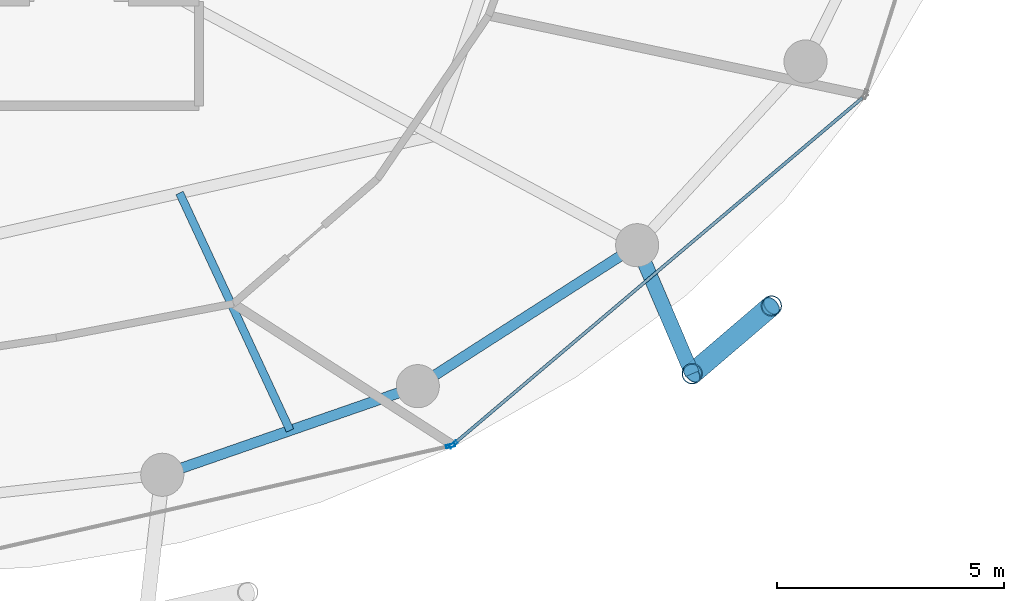
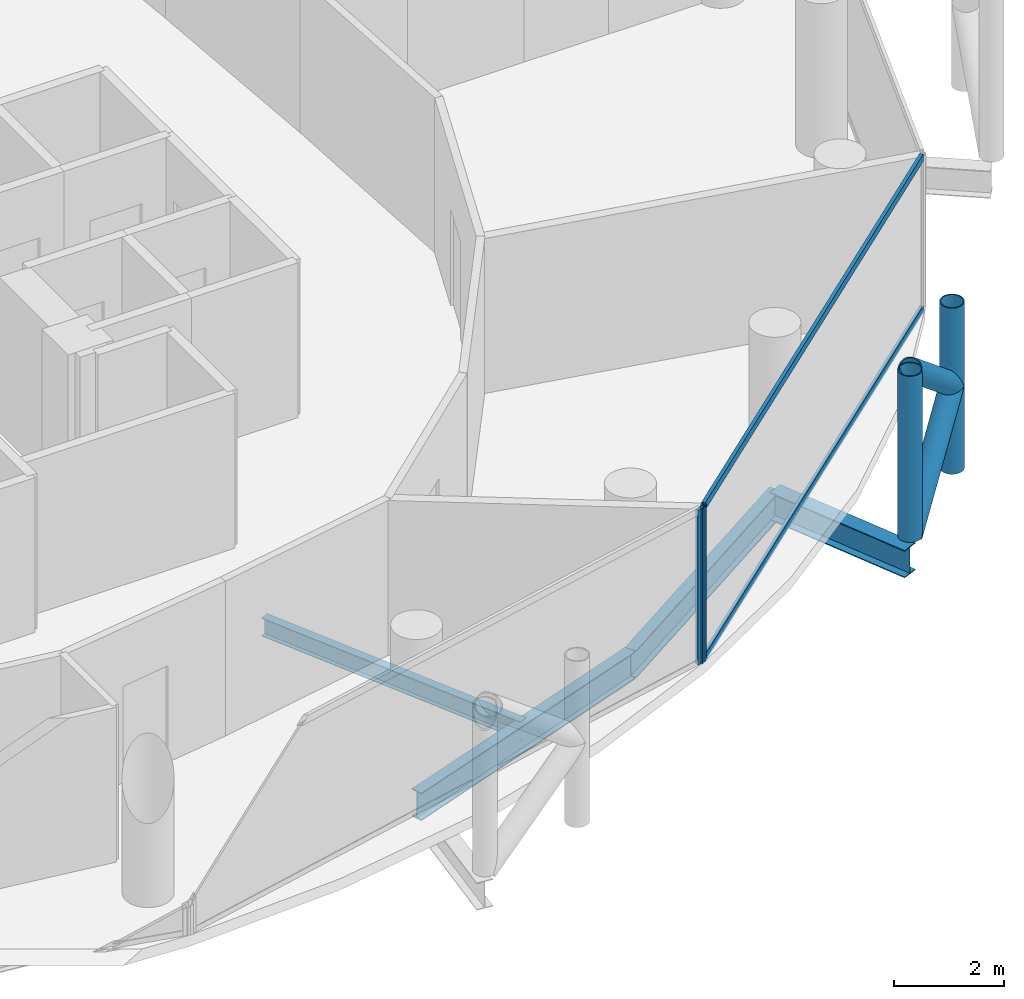
# One storey, part 8 of 26: 8 members, 4 beams, 2 elements without a shape of their own.
"""IFC4 building model written with IfcOpenShell, lengths in metres."""

from ifc_helpers import new_model, si_unit, direction, frame, origin, origin_2d, place, context, subcontext, project, spatial, hollow_rectangle, hollow_circle, i_section, extrude, material, layer, layer_set, material_profile, profile_set, type_object, element, aggregate, save


model = new_model("IFC4")

# Units and contexts
model_context = context("Model", 3, precision=1e-05, world=origin(), true_north=direction((0.0, 1.0)))
body_context = subcontext(model_context, "Body", "Model", "MODEL_VIEW")
ifc_project = project(units=[si_unit("LENGTHUNIT", "METRE"), si_unit("AREAUNIT", "SQUARE_METRE"), si_unit("VOLUMEUNIT", "CUBIC_METRE"), si_unit("PLANEANGLEUNIT", "RADIAN"), si_unit("MASSUNIT", "GRAM", prefix="KILO")], contexts=[model_context])

# Site, building, storey
site_placement = place(None, origin())
site = spatial("IfcSite", under=ifc_project, at=site_placement, CompositionType="ELEMENT")
building_placement = place(site_placement, origin())
building = spatial("IfcBuilding", under=site, at=building_placement, Name="Nuhasar Tower", CompositionType="ELEMENT")
storey_placement = place(building_placement, frame((0.0, 0.0, 173.75)))
storey = spatial("IfcBuildingStorey", under=building, at=storey_placement, Name="L42", CompositionType="ELEMENT", Elevation=173.75)

# Beams
ifc_material_1 = material(Name="Steel S355", Category="steel")
ifc_material_profile_1 = material_profile(ifc_material_1, i_section(OverallWidth=0.177978515625, OverallDepth=0.406005859375, WebThickness=0.0078125, FlangeThickness=0.0126953125, at=origin_2d()), Name="W16X40")
ifc_profile_set_1 = profile_set([ifc_material_profile_1], Name="Steel S355")
beam_type_1 = type_object("IfcBeamType", Name="BM-JST-W16X40", PredefinedType="JOIST", material=ifc_profile_set_1)
beam_1_placement = place(storey_placement, frame((45.424072265625, 14.1279296875, -0.452880859375), z_axis=(0.421729941201, -0.906721487941, 0.0), x_axis=(0.906721487941, 0.421729941201, 0.0)))
element("IfcBeam", 1, at=beam_1_placement, inside=storey, type_object=beam_type_1, Name="L42 Secondary Floor Joist 02", PredefinedType="JOIST", context=body_context, shape_type="SweptSolid", body=[
    extrude(i_section(OverallWidth=0.177978515625, OverallDepth=0.406005859375, WebThickness=0.0078125, FlangeThickness=0.0126953125, at=origin_2d()), origin(), (0.0, 0.0, 1.0), 5.7734375),
])
ifc_material_profile_2 = material_profile(ifc_material_1, i_section(OverallWidth=0.22998046875, OverallDepth=0.616943359375, WebThickness=0.01318359375, FlangeThickness=0.022216796875, at=origin_2d()), Name="W24X94")
ifc_profile_set_2 = profile_set([ifc_material_profile_2], Name="Steel S355")
beam_type_2 = type_object("IfcBeamType", Name="BM-RING-W24X94", PredefinedType="SPANDREL", material=ifc_profile_set_2)
beam_2_placement = place(storey_placement, frame((45.04296875, 7.916015625, -0.55908203125), z_axis=(0.944814057608, 0.327607076458, 0.0), x_axis=(-0.327607076458, 0.944814057608, 0.0)))
element("IfcBeam", 2, at=beam_2_placement, inside=storey, type_object=beam_type_2, Name="L42 Perimeter Ring Spandrel 20", PredefinedType="SPANDREL", context=body_context, shape_type="SweptSolid", body=[
    extrude(i_section(OverallWidth=0.22998046875, OverallDepth=0.616943359375, WebThickness=0.01318359375, FlangeThickness=0.022216796875, at=origin_2d()), origin(), (0.0, 0.0, 1.0), 5.9609375),
])
beam_3_placement = place(storey_placement, frame((50.675048828125, 9.868896484375, -0.55908203125), z_axis=(0.841308170616, 0.540555789955, 0.0), x_axis=(-0.540555789955, 0.841308170616, 0.0)))
element("IfcBeam", 3, at=beam_3_placement, inside=storey, type_object=beam_type_2, Name="L42 Perimeter Ring Spandrel 21", PredefinedType="SPANDREL", context=body_context, shape_type="SweptSolid", body=[
    extrude(i_section(OverallWidth=0.22998046875, OverallDepth=0.616943359375, WebThickness=0.01318359375, FlangeThickness=0.022216796875, at=origin_2d()), origin(), (0.0, 0.0, 1.0), 5.748046875),
])
ifc_material_profile_3 = material_profile(ifc_material_1, i_section(OverallWidth=0.323974609375, OverallDepth=0.611083984375, WebThickness=0.0126953125, FlangeThickness=0.01904296875, at=origin_2d()), Name="W24X104")
ifc_profile_set_3 = profile_set([ifc_material_profile_3], Name="Steel S355")
beam_type_3 = type_object("IfcBeamType", Name="BM-TIE-W24X104", PredefinedType="BEAM", material=ifc_profile_set_3)
beam_4_placement = place(storey_placement, frame((55.510986328125, 12.97607421875, -0.554931640625), z_axis=(0.39330721304, -0.919407111225, 0.0), x_axis=(0.919407111225, 0.39330721304, 0.0)))
element("IfcBeam", 4, at=beam_4_placement, inside=storey, type_object=beam_type_3, Name="L42 Exoskeleton Node Tie Beam 11", PredefinedType="BEAM", context=body_context, shape_type="SweptSolid", body=[
    extrude(i_section(OverallWidth=0.323974609375, OverallDepth=0.611083984375, WebThickness=0.0126953125, FlangeThickness=0.01904296875, at=origin_2d()), origin(), (0.0, 0.0, 1.0), 3.081298828125),
])

# Curtain wall, member
ifc_material_2 = material(Name="Aluminium 6063-T6", Category="aluminium")
ifc_layer = layer(ifc_material_2, 0.199951171875)
ifc_layer_set = layer_set([ifc_layer], Name="Aluminium 6063-T6")
curtain_wall_type = type_object("IfcCurtainWallType", Name="CW-Z2-HTL", PredefinedType="NOTDEFINED", material=ifc_layer_set)
curtain_wall_1_placement = place(storey_placement, origin())
curtain_wall_1 = element("IfcCurtainWall", 5, at=curtain_wall_1_placement, inside=storey, type_object=curtain_wall_type, Name="L42 Unitised Curtain Wall 10", PredefinedType="NOTDEFINED")
ifc_material_profile_4 = material_profile(ifc_material_2, hollow_rectangle(XDim=0.070068359375, YDim=0.199951171875, WallThickness=0.0048828125, at=origin_2d()), Name="CWM-3")
ifc_profile_set_4 = profile_set([ifc_material_profile_4], Name="Aluminium 6063-T6")
member_type_1 = type_object("IfcMemberType", Name="CW-MUL-S3", PredefinedType="MULLION", material=ifc_profile_set_4)
member_1_placement = place(storey_placement, frame((51.395751953125, 8.55419921875, 0.0), z_axis=(0.0, 0.0, 1.0), x_axis=(-0.22139729566, 0.975183694221, 0.0)))
member_1 = element("IfcMember", 6, at=member_1_placement, type_object=member_type_1, Name="CW-Z2 mullion 2", PredefinedType="MULLION", context=body_context, shape_type="SweptSolid", body=[
    extrude(hollow_rectangle(XDim=0.070068359375, YDim=0.199951171875, WallThickness=0.0048828125, at=origin_2d()), origin(), (0.0, 0.0, 1.0), 3.449951171875),
])
aggregate(curtain_wall_1, [member_1])

# Curtain wall, members
curtain_wall_2_placement = place(storey_placement, origin())
curtain_wall_2 = element("IfcCurtainWall", 7, at=curtain_wall_2_placement, inside=storey, type_object=curtain_wall_type, Name="L42 Unitised Curtain Wall 11", PredefinedType="NOTDEFINED")
member_2_placement = place(storey_placement, frame((51.456787109375, 8.584716796875, 0.0), z_axis=(0.0, 0.0, 1.0), x_axis=(-0.646374438324, 0.763020370292, 0.0)))
member_2 = element("IfcMember", 8, at=member_2_placement, type_object=member_type_1, Name="CW-Z2 mullion 1", PredefinedType="MULLION", context=body_context, shape_type="SweptSolid", body=[
    extrude(hollow_rectangle(XDim=0.070068359375, YDim=0.199951171875, WallThickness=0.0048828125, at=origin_2d()), origin(), (0.0, 0.0, 1.0), 3.449951171875),
])
ifc_material_profile_5 = material_profile(ifc_material_2, hollow_rectangle(XDim=0.070068359375, YDim=0.159912109375, WallThickness=0.00439453125, at=origin_2d()), Name="CWT-3")
ifc_profile_set_5 = profile_set([ifc_material_profile_5], Name="Aluminium 6063-T6")
member_type_2 = type_object("IfcMemberType", Name="CW-TRN-S3", PredefinedType="USERDEFINED", material=ifc_profile_set_5)
member_3_placement = place(storey_placement, frame((51.4833984375, 8.607177734375, 0.034912109375), z_axis=(0.763013698099, 0.646382314511, 0.0), x_axis=(-0.646382314511, 0.763013698099, 0.0)))
member_3 = element("IfcMember", 9, at=member_3_placement, type_object=member_type_2, Name="CW-Z2 transom 1.1", ObjectType="TRANSOM", PredefinedType="USERDEFINED", context=body_context, shape_type="SweptSolid", body=[
    extrude(hollow_rectangle(XDim=0.070068359375, YDim=0.159912109375, WallThickness=0.00439453125, at=origin_2d()), origin(), (0.0, 0.0, 1.0), 11.78515625),
])
member_4_placement = place(storey_placement, frame((51.4833984375, 8.607177734375, 3.4150390625), z_axis=(0.763013698099, 0.646382314511, 0.0), x_axis=(-0.646382314511, 0.763013698099, 0.0)))
member_4 = element("IfcMember", 10, at=member_4_placement, type_object=member_type_2, Name="CW-Z2 transom 1.2", ObjectType="TRANSOM", PredefinedType="USERDEFINED", context=body_context, shape_type="SweptSolid", body=[
    extrude(hollow_rectangle(XDim=0.070068359375, YDim=0.159912109375, WallThickness=0.00439453125, at=origin_2d()), origin(), (0.0, 0.0, 1.0), 11.78515625),
])
aggregate(curtain_wall_2, [member_2, member_3, member_4])

# Members
ifc_material_3 = material(Name="Steel S460", Category="steel")
ifc_material_profile_6 = material_profile(ifc_material_3, hollow_circle(Radius=0.228515625, WallThickness=0.022216796875, at=origin_2d()), Name="HSS457X22.2")
ifc_profile_set_6 = profile_set([ifc_material_profile_6], Name="Steel S460")
member_type_3 = type_object("IfcMemberType", Name="EXO-BRONZE-457", PredefinedType="BRACE", material=ifc_profile_set_6)
for number, where, z_axis, x_axis, name in (
    (11, (56.722900390625, 10.14306640625, 0.0), (0.0, 0.0, 1.0), (1.0, 0.0, 0.0), "L42 Exoskeleton Chord Column EC-11A"),
    (12, (58.470947265625, 11.637939453125, 0.0), (0.0, 0.0, 1.0), (1.0, 0.0, 0.0), "L42 Exoskeleton Chord Column EC-11B"),
):
    element("IfcMember", number, at=place(storey_placement, frame(where, z_axis=z_axis, x_axis=x_axis)), inside=storey, type_object=member_type_3, Name=name, PredefinedType="BRACE", context=body_context, shape_type="SweptSolid", body=[
        extrude(hollow_circle(Radius=0.228515625, WallThickness=0.022216796875, at=origin_2d()), origin(), (0.0, 0.0, 1.0), 3.699951171875),
    ])
member_5_placement = place(storey_placement, frame((56.722900390625, 10.14306640625, 0.0), z_axis=(0.592195175458, 0.506426125604, 0.626767463634), x_axis=(-0.649925557156, 0.7599978751, 0.0)))
element("IfcMember", 13, at=member_5_placement, inside=storey, type_object=member_type_3, Name="L42 Bronze Diagrid Brace W1-11", PredefinedType="BRACE", context=body_context, shape_type="SweptSolid", body=[
    extrude(hollow_circle(Radius=0.228515625, WallThickness=0.022216796875, at=origin_2d()), origin(), (0.0, 0.0, 1.0), 2.951904296875),
])
member_6_placement = place(storey_placement, frame((58.470947265625, 11.637939453125, 1.85009765625), z_axis=(-0.592225874743, -0.506452378638, 0.626717242029), x_axis=(0.649925557156, -0.7599978751, 0.0)))
element("IfcMember", 14, at=member_6_placement, inside=storey, type_object=member_type_3, Name="L42 Bronze Diagrid Brace W2-11", PredefinedType="BRACE", context=body_context, shape_type="SweptSolid", body=[
    extrude(hollow_circle(Radius=0.228515625, WallThickness=0.022216796875, at=origin_2d()), origin(), (0.0, 0.0, 1.0), 2.95166015625),
])

save(model, "model.ifc")
